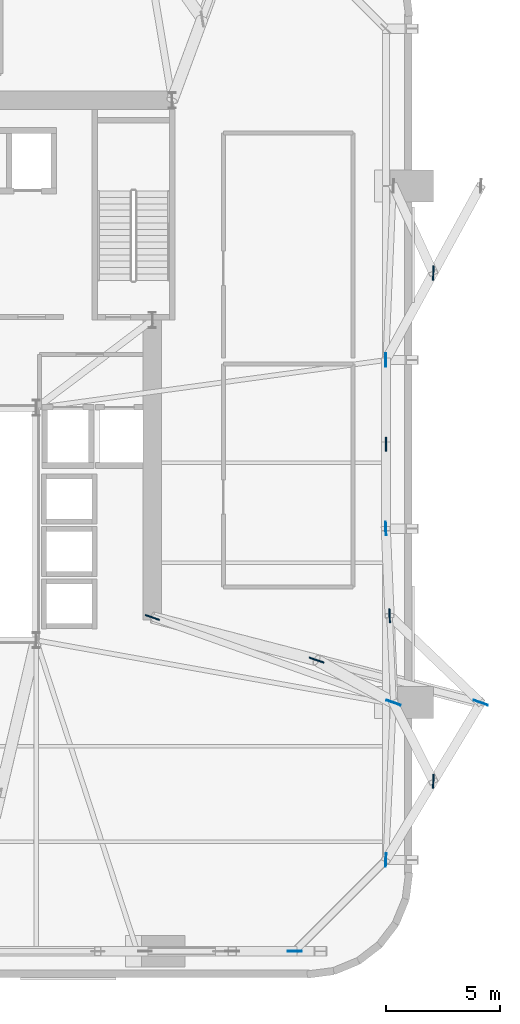
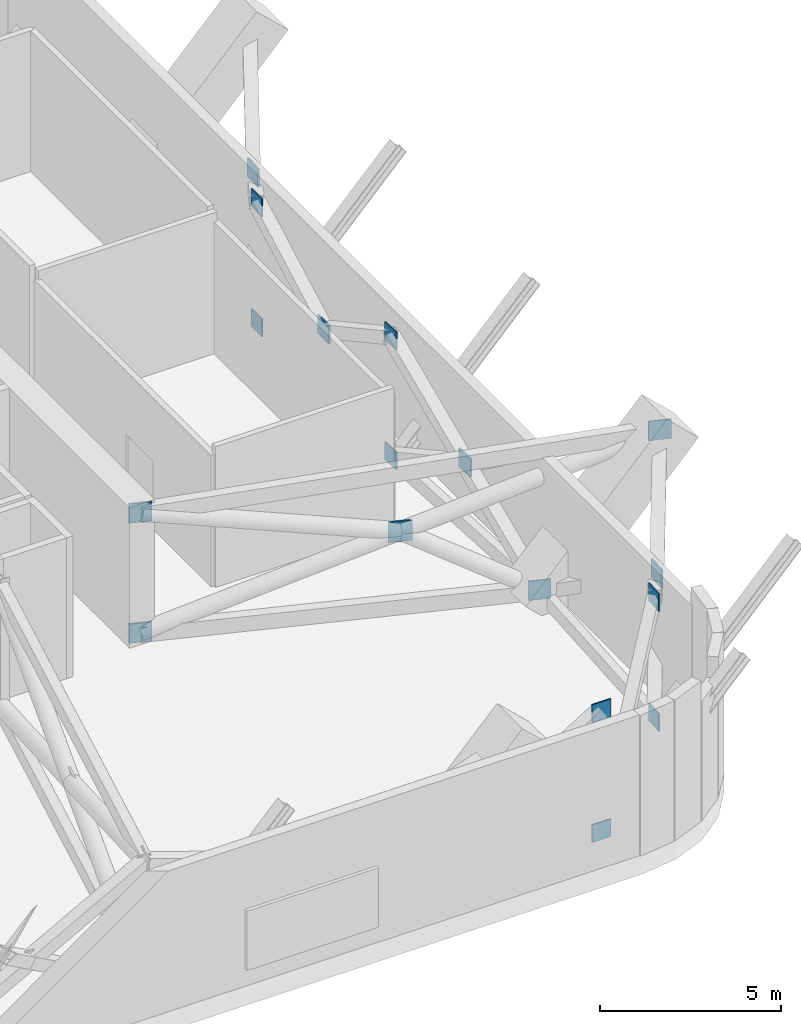
# One storey, part 7 of 14: 17 plates.
"""IFC4 building model written with IfcOpenShell, lengths in metres."""

from ifc_helpers import new_model, si_unit, direction, frame, origin, origin_2d, place, context, subcontext, project, spatial, rectangle, extrude, source, transform, mapped, material, layer, layer_set, type_object, element, save


model = new_model("IFC4")

# Units and contexts
model_context = context("Model", 3, precision=1e-05, world=origin(), true_north=direction((0.0, 1.0)))
body_context = subcontext(model_context, "Body", "Model", "MODEL_VIEW")
ifc_project = project(units=[si_unit("LENGTHUNIT", "METRE"), si_unit("AREAUNIT", "SQUARE_METRE"), si_unit("VOLUMEUNIT", "CUBIC_METRE"), si_unit("PLANEANGLEUNIT", "RADIAN"), si_unit("MASSUNIT", "GRAM", prefix="KILO")], contexts=[model_context])

# Site, building, storey
site_placement = place(None, origin())
site = spatial("IfcSite", under=ifc_project, at=site_placement, CompositionType="ELEMENT")
building_placement = place(site_placement, origin())
building = spatial("IfcBuilding", under=site, at=building_placement, Name="Vardaveli Station Tower", CompositionType="ELEMENT")
storey_placement = place(building_placement, frame((0.0, 0.0, 237.300048828125)))
storey = spatial("IfcBuildingStorey", under=building, at=storey_placement, Name="L61", CompositionType="ELEMENT", Elevation=237.300048828125)

# Plates
ifc_material = material(Name="Structural steel S460M", Category="steel")
ifc_layer_1 = layer(ifc_material, 0.06005859375, Name="Structural steel S460M")
ifc_layer_set_1 = layer_set([ifc_layer_1], Name="Structural steel S460M")
plate_type_1 = type_object("IfcPlateType", Name="PLT-GUSSET-60", PredefinedType="USERDEFINED", material=ifc_layer_set_1)
shared_shape_1 = source(origin(), body_context, "Body", "SweptSolid", [
    extrude(rectangle(XDim=0.679931640625, YDim=0.06005859375, at=origin_2d()), origin(), (0.0, 0.0, 1.0), 0.679931640625),
])
plate_placement = place(storey_placement, frame((53.709228515625, 15.72998046875, 2.03515625), z_axis=(0.0, 0.0, 1.0), x_axis=(0.942816142732, -0.333313247568, 0.0)))
element("IfcPlate", 1, at=plate_placement, inside=storey, type_object=plate_type_1, Name="PLT-L61-OA3-X", ObjectType="GUSSET PLATE", PredefinedType="USERDEFINED", context=body_context, shape_type="MappedRepresentation", body=[
    mapped(shared_shape_1, transform((0.0, 0.0, 0.0), scale=1.0)),
])
shared_shape_2 = source(origin(), body_context, "Body", "SweptSolid", [
    extrude(rectangle(XDim=0.64990234375, YDim=0.06005859375, at=origin_2d()), origin(), (0.0, 0.0, 1.0), 0.64990234375),
])
for number, where, z_axis, x_axis, name in (
    (2, (46.5, 17.60009765625, 0.02490234375), (0.0, 0.0, 1.0), (0.942816142732, -0.333313247568, 0.0), "PLT-L61-OA3-CB"),
    (3, (46.5, 17.60009765625, 4.074951171875), (0.0, 0.0, 1.0), (0.942816142732, -0.333313247568, 0.0), "PLT-L61-OA3-CT"),
):
    element("IfcPlate", number, at=place(storey_placement, frame(where, z_axis=z_axis, x_axis=x_axis)), inside=storey, type_object=plate_type_1, Name=name, ObjectType="GUSSET PLATE", PredefinedType="USERDEFINED", context=body_context, shape_type="MappedRepresentation", body=[
        mapped(shared_shape_2, transform((0.0, 0.0, 0.0), scale=1.0)),
    ])
ifc_layer_2 = layer(ifc_material, 0.0400390625, Name="Structural steel S460M")
ifc_layer_set_2 = layer_set([ifc_layer_2], Name="Structural steel S460M")
plate_type_2 = type_object("IfcPlateType", Name="PLT-CAP-40", PredefinedType="USERDEFINED", material=ifc_layer_set_2)
shared_shape_3 = source(origin(), body_context, "Body", "SweptSolid", [
    extrude(rectangle(XDim=0.64990234375, YDim=0.0400390625, at=origin_2d()), origin(), (0.0, 0.0, 1.0), 0.64990234375),
])
for number, where, z_axis, x_axis, name in (
    (4, (57.08154296875, 13.860107421875, 0.02490234375), (0.0, 0.0, 1.0), (0.942816142732, -0.333313247568, 0.0), "PLT-L61-OA3-MB"),
    (5, (60.91845703125, 13.860107421875, 4.074951171875), (0.0, 0.0, 1.0), (0.942816142732, -0.333313247568, 0.0), "PLT-L61-OA3-MT"),
):
    element("IfcPlate", number, at=place(storey_placement, frame(where, z_axis=z_axis, x_axis=x_axis)), inside=storey, type_object=plate_type_2, Name=name, ObjectType="GUSSET PLATE", PredefinedType="USERDEFINED", context=body_context, shape_type="MappedRepresentation", body=[
        mapped(shared_shape_3, transform((0.0, 0.0, 0.0), scale=1.0)),
    ])
shared_shape_4 = source(origin(), body_context, "Body", "SweptSolid", [
    extrude(rectangle(XDim=0.6201171875, YDim=0.06005859375, at=origin_2d()), origin(), (0.0, 0.0, 1.0), 0.6201171875),
])
for number, where, z_axis, x_axis, name in (
    (6, (58.834228515625, 10.405029296875, 2.06494140625), (0.0, 0.0, 1.0), (0.047978128521, 0.998848386485, 0.0), "PLT-L61-BLTX-05"),
    (7, (56.915771484375, 17.679931640625, 2.06494140625), (0.0, 0.0, 1.0), (-0.043445019893, 0.999055819385, 0.0), "PLT-L61-BLTX-06"),
    (8, (56.75, 25.199951171875, 2.06494140625), (0.0, 0.0, 1.0), (0.0, 1.0, 0.0), "PLT-L61-BLTX-07"),
    (9, (58.834228515625, 32.719970703125, 2.06494140625), (0.0, 0.0, 1.0), (0.043445019893, 0.999055819385, 0.0), "PLT-L61-BLTX-08"),
):
    element("IfcPlate", number, at=place(storey_placement, frame(where, z_axis=z_axis, x_axis=x_axis)), inside=storey, type_object=plate_type_1, Name=name, ObjectType="GUSSET PLATE", PredefinedType="USERDEFINED", context=body_context, shape_type="MappedRepresentation", body=[
        mapped(shared_shape_4, transform((0.0, 0.0, 0.0), scale=1.0)),
    ])
shared_shape_5 = source(origin(), body_context, "Body", "SweptSolid", [
    extrude(rectangle(XDim=0.60009765625, YDim=0.0400390625, at=origin_2d()), origin(), (0.0, 0.0, 1.0), 0.60009765625),
])
for number, where, z_axis, x_axis, name in (
    (10, (52.75, 2.949951171875, 0.0498046875), (0.0, 0.0, 1.0), (1.0, 0.0, 0.0), "PLT-L61-BLTBB-04"),
    (11, (52.75, 2.949951171875, 4.099853515625), (0.0, 0.0, 1.0), (1.0, 0.0, 0.0), "PLT-L61-BLTBT-04"),
    (12, (56.75, 6.949951171875, 0.0498046875), (0.0, 0.0, 1.0), (0.047978128521, 0.998848386485, 0.0), "PLT-L61-BLTAB-05"),
    (13, (56.75, 6.949951171875, 4.099853515625), (0.0, 0.0, 1.0), (0.047978128521, 0.998848386485, 0.0), "PLT-L61-BLTAT-05"),
    (14, (56.75, 21.5, 0.0498046875), (0.0, 0.0, 1.0), (-0.043445019893, 0.999055819385, 0.0), "PLT-L61-BLTBB-06"),
    (15, (56.75, 21.5, 4.099853515625), (0.0, 0.0, 1.0), (-0.043445019893, 0.999055819385, 0.0), "PLT-L61-BLTBT-06"),
    (16, (56.75, 28.89990234375, 0.0498046875), (0.0, 0.0, 1.0), (0.0, 1.0, 0.0), "PLT-L61-BLTBB-07"),
    (17, (56.75, 28.89990234375, 4.099853515625), (0.0, 0.0, 1.0), (0.0, 1.0, 0.0), "PLT-L61-BLTBT-07"),
):
    element("IfcPlate", number, at=place(storey_placement, frame(where, z_axis=z_axis, x_axis=x_axis)), inside=storey, type_object=plate_type_2, Name=name, ObjectType="GUSSET PLATE", PredefinedType="USERDEFINED", context=body_context, shape_type="MappedRepresentation", body=[
        mapped(shared_shape_5, transform((0.0, 0.0, 0.0), scale=1.0)),
    ])

save(model, "model.ifc")
